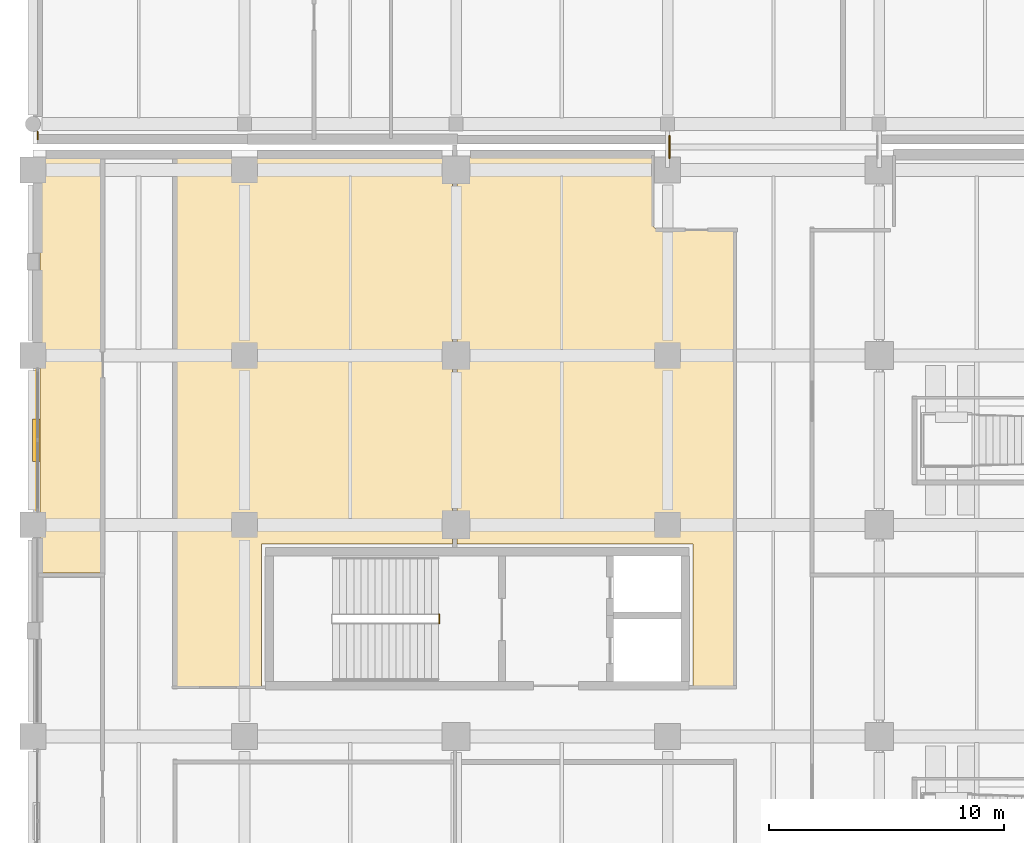
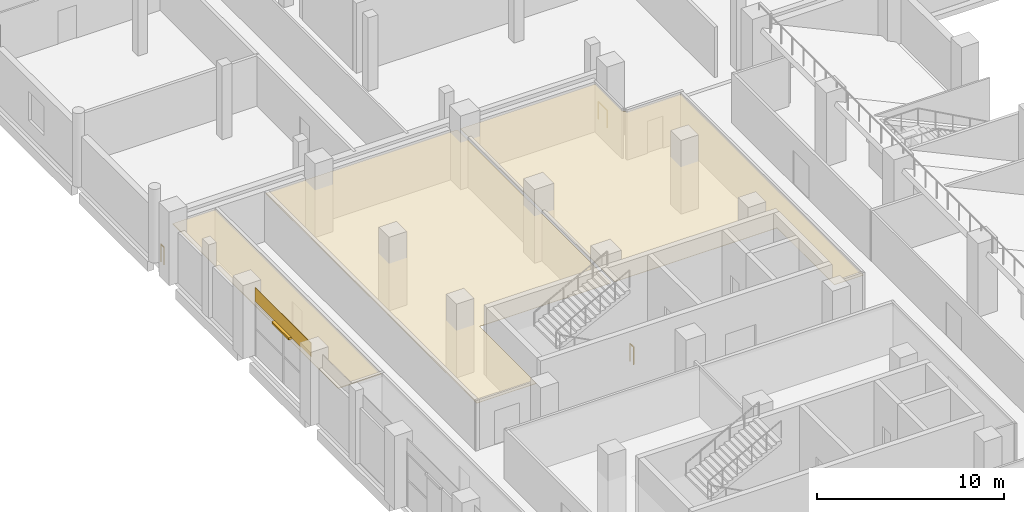
# One storey, part 83 of 100: 4 coverings, 3 railings, 1 shading device.
"""IFC4 building model written with IfcOpenShell, lengths in metres."""

from ifc_helpers import new_model, si_unit, direction, frame, origin, origin_2d, place, context, subcontext, project, spatial, polyline, rectangle, circle, outline, extrude, material, layer, layer_set, type_object, element, save


model = new_model("IFC4")

# Units and contexts
model_context = context("Model", 3, precision=1e-05, world=origin(), true_north=direction((0.0, 1.0)))
body_context = subcontext(model_context, "Body", "Model", "MODEL_VIEW")
ifc_project = project(units=[si_unit("LENGTHUNIT", "METRE"), si_unit("AREAUNIT", "SQUARE_METRE"), si_unit("VOLUMEUNIT", "CUBIC_METRE"), si_unit("PLANEANGLEUNIT", "RADIAN"), si_unit("MASSUNIT", "GRAM", prefix="KILO"), si_unit("THERMODYNAMICTEMPERATUREUNIT", "KELVIN"), si_unit("POWERUNIT", "WATT")], contexts=[model_context])

# Site, building, storey
site_placement = place(None, origin())
site = spatial("IfcSite", under=ifc_project, at=site_placement, CompositionType="ELEMENT")
building_placement = place(site_placement, origin())
building = spatial("IfcBuilding", under=site, at=building_placement, Name="Sindhuravela Promenade Stadium", CompositionType="ELEMENT")
storey_placement = place(building_placement, frame((0.0, 0.0, 4.800048828125)))
storey = spatial("IfcBuildingStorey", under=building, at=storey_placement, Name="L01", CompositionType="ELEMENT", Elevation=4.800048828125)

# Coverings
ifc_material_1 = material(Name="Acoustic mineral-fibre ceiling tile", Category="gypsum")
ifc_layer_1 = layer(ifc_material_1, 0.02490234375)
ifc_layer_set_1 = layer_set([ifc_layer_1], Name="Acoustic mineral-fibre ceiling tile")
covering_type_1 = type_object("IfcCoveringType", Name="CV-CEIL-1", PredefinedType="CEILING", material=ifc_layer_set_1)
covering_1_placement = place(storey_placement, frame((0.0, 0.0, 3.050048828125)))
element("IfcCovering", 1, at=covering_1_placement, inside=storey, type_object=covering_type_1, Name="Acoustic ceiling Lower Tier Fixed Seating Stands West", PredefinedType="CEILING", context=body_context, shape_type="SweptSolid", body=[
    extrude(outline(polyline([(9.719970703125, 108.97998046875), (9.719970703125, 102.889892578125), (9.719970703125, 102.887939453125), (9.719482421875, 102.885986328125), (9.718994140625, 102.88427734375), (9.718505859375, 102.88232421875), (9.717529296875, 102.880615234375), (9.716552734375, 102.87890625), (9.715576171875, 102.877197265625), (9.714111328125, 102.8759765625), (9.712646484375, 102.87451171875), (9.711181640625, 102.873291015625), (9.70947265625, 102.872314453125), (9.707763671875, 102.87158203125), (9.705810546875, 102.870849609375), (9.703857421875, 102.870361328125), (9.701904296875, 102.8701171875), (9.699951171875, 102.8701171875), (6.0400390625, 102.8701171875), (6.0380859375, 102.8701171875), (6.0361328125, 102.870361328125), (6.0341796875, 102.870849609375), (6.0322265625, 102.87158203125), (6.030517578125, 102.872314453125), (6.02880859375, 102.873291015625), (6.02734375, 102.87451171875), (6.02587890625, 102.8759765625), (6.0244140625, 102.877197265625), (6.0234375, 102.87890625), (6.0224609375, 102.880615234375), (6.021484375, 102.88232421875), (6.02099609375, 102.88427734375), (6.0205078125, 102.885986328125), (6.02001953125, 102.887939453125), (6.02001953125, 102.889892578125), (6.02001953125, 125.429931640625), (6.02001953125, 125.431884765625), (6.0205078125, 125.433837890625), (6.02099609375, 125.435791015625), (6.021484375, 125.437744140625), (6.0224609375, 125.439453125), (6.0234375, 125.441162109375), (6.0244140625, 125.442626953125), (6.02587890625, 125.444091796875), (6.02734375, 125.445556640625), (6.02880859375, 125.446533203125), (6.030517578125, 125.447509765625), (6.0322265625, 125.448486328125), (6.0341796875, 125.44921875), (6.0361328125, 125.44970703125), (6.0380859375, 125.449951171875), (6.0400390625, 125.449951171875), (17.830078125, 125.449951171875), (17.83203125, 125.449951171875), (17.833984375, 125.44970703125), (17.835693359375, 125.44921875), (17.837646484375, 125.448486328125), (17.83935546875, 125.447509765625), (17.841064453125, 125.446533203125), (17.8427734375, 125.445556640625), (17.843994140625, 125.444091796875), (17.845458984375, 125.442626953125), (17.8466796875, 125.441162109375), (17.84765625, 125.439453125), (17.848388671875, 125.437744140625), (17.84912109375, 125.435791015625), (17.849609375, 125.433837890625), (17.849853515625, 125.431884765625), (17.85009765625, 125.429931640625), (17.85009765625, 109.0), (17.849853515625, 108.998046875), (17.849609375, 108.99609375), (17.84912109375, 108.994140625), (17.848388671875, 108.9921875), (17.84765625, 108.990478515625), (17.8466796875, 108.989013671875), (17.845458984375, 108.9873046875), (17.843994140625, 108.98583984375), (17.8427734375, 108.984619140625), (17.841064453125, 108.9833984375), (17.83935546875, 108.982421875), (17.837646484375, 108.9814453125), (17.835693359375, 108.98095703125), (17.833984375, 108.98046875), (17.83203125, 108.97998046875), (17.830078125, 108.97998046875), (9.719970703125, 108.97998046875)])), origin(), (0.0, 0.0, 1.0), 0.02490234375),
])
covering_2_placement = place(storey_placement, frame((0.0, 0.0, 3.050048828125)))
element("IfcCovering", 2, at=covering_2_placement, inside=storey, type_object=covering_type_1, Name="Acoustic ceiling Supporters Refreshment Kiosk W2", PredefinedType="CEILING", context=body_context, shape_type="SweptSolid", body=[
    extrude(outline(polyline([(26.3798828125, 122.58056640625), (26.381103515625, 122.558349609375), (26.38427734375, 122.537109375), (26.389404296875, 122.51611328125), (26.396728515625, 122.495849609375), (26.406005859375, 122.476318359375), (26.4169921875, 122.457763671875), (26.429931640625, 122.4404296875), (26.444580078125, 122.424560546875), (26.46044921875, 122.409912109375), (26.477783203125, 122.397216796875), (26.496337890625, 122.385986328125), (26.515869140625, 122.376708984375), (26.5361328125, 122.369384765625), (26.55712890625, 122.3642578125), (26.578369140625, 122.361083984375), (26.6005859375, 122.360107421875), (29.860107421875, 122.360107421875), (29.862060546875, 122.35986328125), (29.864013671875, 122.359619140625), (29.86572265625, 122.359130859375), (29.86767578125, 122.3583984375), (29.869384765625, 122.357666015625), (29.87109375, 122.356689453125), (29.872802734375, 122.35546875), (29.8740234375, 122.35400390625), (29.87548828125, 122.352783203125), (29.876708984375, 122.35107421875), (29.877685546875, 122.349365234375), (29.87841796875, 122.34765625), (29.879150390625, 122.345703125), (29.879638671875, 122.343994140625), (29.8798828125, 122.342041015625), (29.8798828125, 122.340087890625), (29.8798828125, 102.889892578125), (29.8798828125, 102.887939453125), (29.879638671875, 102.885986328125), (29.879150390625, 102.88427734375), (29.87841796875, 102.88232421875), (29.877685546875, 102.880615234375), (29.876708984375, 102.87890625), (29.87548828125, 102.877197265625), (29.8740234375, 102.8759765625), (29.872802734375, 102.87451171875), (29.87109375, 102.873291015625), (29.869384765625, 102.872314453125), (29.86767578125, 102.87158203125), (29.86572265625, 102.870849609375), (29.864013671875, 102.870361328125), (29.862060546875, 102.8701171875), (29.860107421875, 102.8701171875), (28.10009765625, 102.8701171875), (28.097900390625, 102.8701171875), (28.09619140625, 102.870361328125), (28.09423828125, 102.870849609375), (28.09228515625, 102.87158203125), (28.090576171875, 102.872314453125), (28.0888671875, 102.873291015625), (28.08740234375, 102.87451171875), (28.0859375, 102.8759765625), (28.08447265625, 102.877197265625), (28.08349609375, 102.87890625), (28.08251953125, 102.880615234375), (28.08154296875, 102.88232421875), (28.080810546875, 102.88427734375), (28.080322265625, 102.885986328125), (28.080078125, 102.887939453125), (28.080078125, 102.889892578125), (28.080078125, 108.97998046875), (18.070068359375, 108.97998046875), (18.068115234375, 108.97998046875), (18.066162109375, 108.98046875), (18.064208984375, 108.98095703125), (18.062255859375, 108.9814453125), (18.060546875, 108.982421875), (18.058837890625, 108.9833984375), (18.057373046875, 108.984619140625), (18.055908203125, 108.98583984375), (18.054443359375, 108.9873046875), (18.053466796875, 108.989013671875), (18.052490234375, 108.990478515625), (18.051513671875, 108.9921875), (18.05078125, 108.994140625), (18.05029296875, 108.99609375), (18.050048828125, 108.998046875), (18.050048828125, 109.0), (18.050048828125, 125.429931640625), (18.050048828125, 125.431884765625), (18.05029296875, 125.433837890625), (18.05078125, 125.435791015625), (18.051513671875, 125.437744140625), (18.052490234375, 125.439453125), (18.053466796875, 125.441162109375), (18.054443359375, 125.442626953125), (18.055908203125, 125.444091796875), (18.057373046875, 125.445556640625), (18.058837890625, 125.446533203125), (18.060546875, 125.447509765625), (18.062255859375, 125.448486328125), (18.064208984375, 125.44921875), (18.066162109375, 125.44970703125), (18.068115234375, 125.449951171875), (18.070068359375, 125.449951171875), (26.360107421875, 125.449951171875), (26.362060546875, 125.449951171875), (26.364013671875, 125.44970703125), (26.36572265625, 125.44921875), (26.36767578125, 125.448486328125), (26.369384765625, 125.447509765625), (26.37109375, 125.446533203125), (26.372802734375, 125.445556640625), (26.3740234375, 125.444091796875), (26.37548828125, 125.442626953125), (26.376708984375, 125.441162109375), (26.377685546875, 125.439453125), (26.37841796875, 125.437744140625), (26.379150390625, 125.435791015625), (26.379638671875, 125.433837890625), (26.3798828125, 125.431884765625), (26.3798828125, 125.429931640625), (26.3798828125, 122.58056640625)])), origin(), (0.0, 0.0, 1.0), 0.02490234375),
])
ifc_layer_2 = layer(ifc_material_1, 0.044921875)
ifc_layer_set_2 = layer_set([ifc_layer_2], Name="Acoustic mineral-fibre ceiling tile")
covering_type_2 = type_object("IfcCoveringType", Name="CV-CEIL-2", PredefinedType="CEILING", material=ifc_layer_set_2)
covering_3_placement = place(storey_placement, frame((0.0, 0.0, 3.050048828125)))
element("IfcCovering", 3, at=covering_3_placement, inside=storey, type_object=covering_type_2, Name="Acoustic ceiling Supporters Refreshment Kiosk W1 10", PredefinedType="CEILING", context=body_context, shape_type="SweptSolid", body=[
    extrude(outline(polyline([(0.300048828125, 125.429931640625), (0.300048828125, 125.431884765625), (0.30029296875, 125.433837890625), (0.30078125, 125.435791015625), (0.301513671875, 125.437744140625), (0.302490234375, 125.439453125), (0.303466796875, 125.441162109375), (0.304443359375, 125.442626953125), (0.305908203125, 125.444091796875), (0.307373046875, 125.445556640625), (0.308837890625, 125.446533203125), (0.310546875, 125.447509765625), (0.312255859375, 125.448486328125), (0.314208984375, 125.44921875), (0.316162109375, 125.44970703125), (0.318115234375, 125.449951171875), (0.320068359375, 125.449951171875), (2.9599609375, 125.449951171875), (2.9619140625, 125.449951171875), (2.9638671875, 125.44970703125), (2.9658203125, 125.44921875), (2.9677734375, 125.448486328125), (2.969482421875, 125.447509765625), (2.97119140625, 125.446533203125), (2.97265625, 125.445556640625), (2.97412109375, 125.444091796875), (2.9755859375, 125.442626953125), (2.9765625, 125.441162109375), (2.9775390625, 125.439453125), (2.978515625, 125.437744140625), (2.97900390625, 125.435791015625), (2.9794921875, 125.433837890625), (2.97998046875, 125.431884765625), (2.97998046875, 125.429931640625), (2.97998046875, 107.778076171875), (2.97998046875, 107.77587890625), (2.9794921875, 107.774169921875), (2.97900390625, 107.772216796875), (2.978515625, 107.770263671875), (2.9775390625, 107.7685546875), (2.9765625, 107.766845703125), (2.9755859375, 107.765380859375), (2.97412109375, 107.763916015625), (2.97265625, 107.762451171875), (2.97119140625, 107.761474609375), (2.969482421875, 107.760498046875), (2.9677734375, 107.759521484375), (2.9658203125, 107.7587890625), (2.9638671875, 107.75830078125), (2.9619140625, 107.758056640625), (2.9599609375, 107.758056640625), (0.320068359375, 107.758056640625), (0.318115234375, 107.758056640625), (0.316162109375, 107.75830078125), (0.314208984375, 107.7587890625), (0.312255859375, 107.759521484375), (0.310546875, 107.760498046875), (0.308837890625, 107.761474609375), (0.307373046875, 107.762451171875), (0.305908203125, 107.763916015625), (0.304443359375, 107.765380859375), (0.303466796875, 107.766845703125), (0.302490234375, 107.7685546875), (0.301513671875, 107.770263671875), (0.30078125, 107.772216796875), (0.30029296875, 107.774169921875), (0.300048828125, 107.77587890625), (0.300048828125, 107.778076171875), (0.300048828125, 125.429931640625)])), origin(), (0.0, 0.0, 1.0), 0.044921875),
])
ifc_material_2 = material(Name="Polychrome trencadis ceramic mosaic", Category="masonry")
ifc_layer_3 = layer(ifc_material_2, 0.034912109375)
ifc_layer_set_3 = layer_set([ifc_layer_3], Name="Polychrome trencadis ceramic mosaic")
covering_type_3 = type_object("IfcCoveringType", Name="CV-TRENC-1", PredefinedType="CLADDING", material=ifc_layer_set_3)
covering_4_placement = place(storey_placement, frame((0.179931640625, 113.39990234375, 3.55517578125), z_axis=(0.0, 0.0, 1.0), x_axis=(0.0, 1.0, 0.0)))
element("IfcCovering", 4, at=covering_4_placement, inside=storey, type_object=covering_type_3, Name="Trencadis ceramic mosaic spandrel frieze WEST L01-26", PredefinedType="CLADDING", context=body_context, shape_type="SweptSolid", body=[
    extrude(rectangle(XDim=5.969970703125, YDim=0.034912109375, at=origin_2d()), origin(), (0.0, 0.0, 1.0), 0.905029296875),
])

# Railings
ifc_material_3 = material(Name="Architectural wrought steel E350", Category="steel")
railing_type = type_object("IfcRailingType", Name="RL-GRD-1150", PredefinedType="GUARDRAIL", material=ifc_material_3)
railing_1_placement = place(storey_placement, frame((0.199951171875, 126.199951171875, 0.0)))
element("IfcRailing", 5, at=railing_1_placement, inside=storey, type_object=railing_type, Name="Perimeter edge return guard Pavilion NW L01", PredefinedType="GUARDRAIL", context=body_context, shape_type="SweptSolid", body=[
    extrude(circle(Radius=0.02392578125, at=origin_2d()), frame((0.0, 0.0, 1.1259765625), z_axis=(0.0, 1.0, 0.0), x_axis=(-1.0, 0.0, 0.0)), (0.0, 0.0, 1.0), 0.320068359375),
    extrude(circle(Radius=0.02099609375, at=origin_2d()), origin(), (0.0, 0.0, 1.0), 1.101806640625),
    extrude(circle(Radius=0.02099609375, at=origin_2d()), frame((0.0, 0.320068359375, 0.0)), (0.0, 0.0, 1.0), 1.101806640625),
])
railing_2_placement = place(storey_placement, frame((27.080078125, 125.39990234375, 0.0)))
element("IfcRailing", 6, at=railing_2_placement, inside=storey, type_object=railing_type, Name="Bridge edge guardrail GR01-59", PredefinedType="GUARDRAIL", context=body_context, shape_type="SweptSolid", body=[
    extrude(circle(Radius=0.02392578125, at=origin_2d()), frame((0.0, 0.0, 1.1259765625), z_axis=(0.0, 1.0, 0.0), x_axis=(-1.0, 0.0, 0.0)), (0.0, 0.0, 1.0), 0.9501953125),
    extrude(circle(Radius=0.02099609375, at=origin_2d()), origin(), (0.0, 0.0, 1.0), 1.101806640625),
    extrude(circle(Radius=0.02099609375, at=origin_2d()), frame((0.0, 0.9501953125, 0.0)), (0.0, 0.0, 1.0), 1.101806640625),
])
railing_3_placement = place(storey_placement, frame((17.280029296875, 105.610107421875, 0.0)))
element("IfcRailing", 7, at=railing_3_placement, inside=storey, type_object=railing_type, Name="Stair ST04 landing well slot guard (L01)", PredefinedType="GUARDRAIL", context=body_context, shape_type="SweptSolid", body=[
    extrude(circle(Radius=0.02392578125, at=origin_2d()), frame((0.0, 0.0, 1.1259765625), z_axis=(0.0, 1.0, 0.0), x_axis=(-1.0, 0.0, 0.0)), (0.0, 0.0, 1.0), 0.3798828125),
    extrude(circle(Radius=0.02099609375, at=origin_2d()), origin(), (0.0, 0.0, 1.0), 1.101806640625),
    extrude(circle(Radius=0.02099609375, at=origin_2d()), frame((0.0, 0.3798828125, 0.0)), (0.0, 0.0, 1.0), 1.101806640625),
])

# Shading device
ifc_material_4 = material(Name="Perforated terracotta celosia brick (15 MPa)", Category="masonry")
shading_device_type = type_object("IfcShadingDeviceType", Name="SH-JAL-2", PredefinedType="JALOUSIE", material=ifc_material_4)
shading_device_placement = place(storey_placement, frame((0.139892578125, 113.39990234375, 3.4501953125), z_axis=(0.0, 0.0, 1.0), x_axis=(0.0, 1.0, 0.0)))
element("IfcShadingDevice", 8, at=shading_device_placement, inside=storey, type_object=shading_device_type, Name="Terracotta solar shading louvre WEST L01-5", PredefinedType="JALOUSIE", context=body_context, shape_type="SweptSolid", body=[
    extrude(rectangle(XDim=1.800048828125, YDim=0.320068359375, at=origin_2d()), origin(), (0.0, 0.0, 1.0), 0.139892578125),
])

save(model, "model.ifc")
